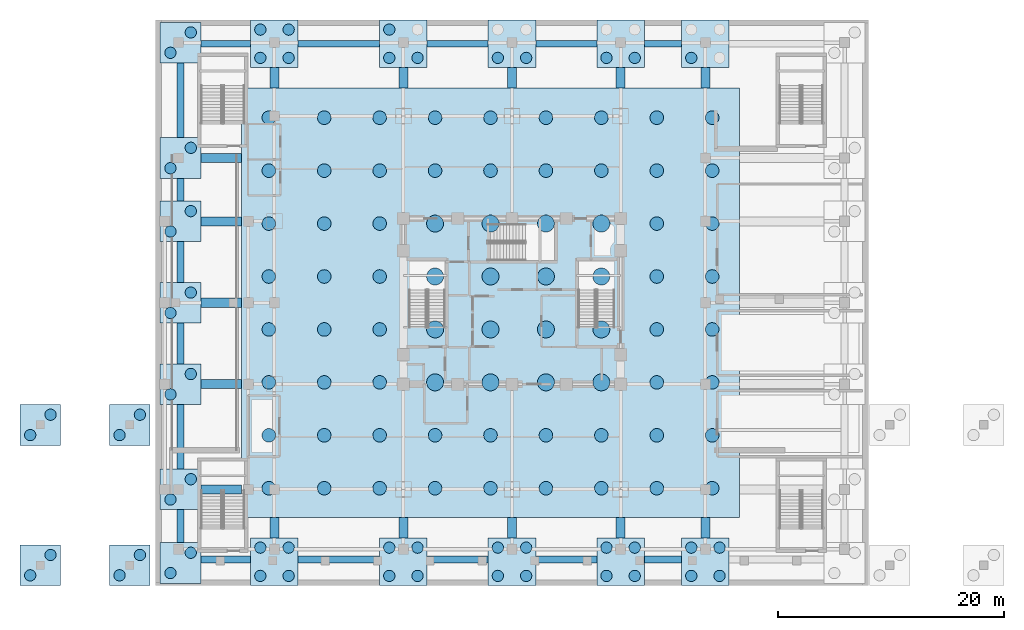
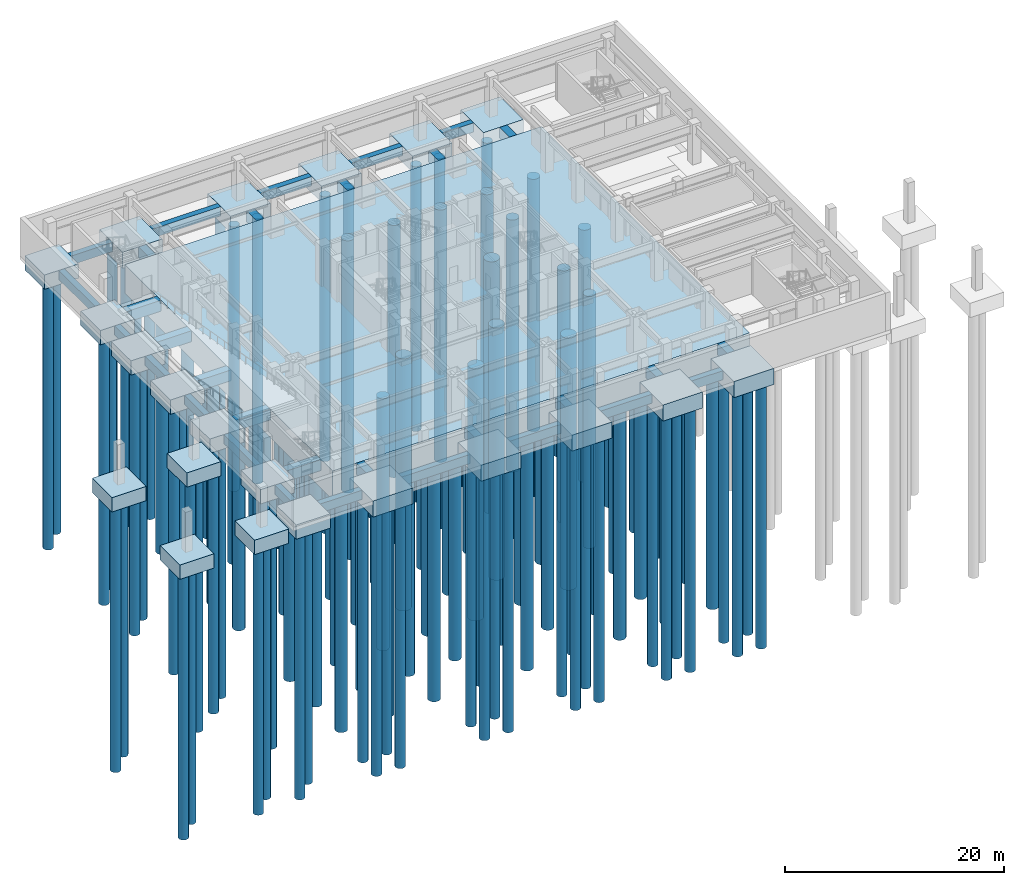
# One storey, part 1 of 12: 126 piles, 53 footings.
"""IFC4 building model written with IfcOpenShell, lengths in metres."""

from ifc_helpers import new_model, si_unit, direction, frame, origin, origin_2d, place, context, subcontext, project, spatial, rectangle, circle, extrude, material, layer, layer_set, material_profile, profile_set, type_object, element, save


model = new_model("IFC4")

# Units and contexts
model_context = context("Model", 3, precision=1e-05, world=origin(), true_north=direction((0.0, 1.0)))
body_context = subcontext(model_context, "Body", "Model", "MODEL_VIEW")
ifc_project = project(units=[si_unit("LENGTHUNIT", "METRE"), si_unit("AREAUNIT", "SQUARE_METRE"), si_unit("VOLUMEUNIT", "CUBIC_METRE"), si_unit("PLANEANGLEUNIT", "RADIAN"), si_unit("MASSUNIT", "GRAM", prefix="KILO")], contexts=[model_context])

# Site, building, storey
site_placement = place(None, origin())
site = spatial("IfcSite", under=ifc_project, at=site_placement, CompositionType="ELEMENT")
building_placement = place(site_placement, origin())
building = spatial("IfcBuilding", under=site, at=building_placement, Name="Vantalir Tower", CompositionType="ELEMENT")
storey_placement = place(building_placement, frame((0.0, 0.0, -9.0)))
storey = spatial("IfcBuildingStorey", under=building, at=storey_placement, Name="B02", CompositionType="ELEMENT", Elevation=-9.0)

# Footings
ifc_material_1 = material(Name="Concrete C50/60", Category="concrete")
ifc_material_profile_1 = material_profile(ifc_material_1, rectangle(XDim=0.60009765625, YDim=1.0, at=origin_2d()), Name="Concrete C50/60")
ifc_profile_set_1 = profile_set([ifc_material_profile_1], Name="Concrete C50/60")
footing_type_1 = type_object("IfcFootingType", Name="FTG-GB-600x1000", PredefinedType="FOOTING_BEAM", material=ifc_profile_set_1)
footing_1_placement = place(storey_placement, frame((2.199951171875, 3.800048828125, -0.5), z_axis=(0.0, 1.0, 0.0), x_axis=(-1.0, 0.0, 0.0)))
element("IfcFooting", 1, at=footing_1_placement, inside=storey, type_object=footing_type_1, Name="Ground Tie Beam 021 (West Perimeter Tie)", PredefinedType="FOOTING_BEAM", context=body_context, shape_type="SweptSolid", body=[
    extrude(rectangle(XDim=0.60009765625, YDim=1.0, at=origin_2d()), origin(), (0.0, 0.0, 1.0), 2.89990234375),
])
footing_2_placement = place(storey_placement, frame((2.199951171875, 10.300048828125, -0.5), z_axis=(0.0, 1.0, 0.0), x_axis=(-1.0, 0.0, 0.0)))
element("IfcFooting", 2, at=footing_2_placement, inside=storey, type_object=footing_type_1, Name="Ground Tie Beam 023 (West Perimeter Tie)", PredefinedType="FOOTING_BEAM", context=body_context, shape_type="SweptSolid", body=[
    extrude(rectangle(XDim=0.60009765625, YDim=1.0, at=origin_2d()), origin(), (0.0, 0.0, 1.0), 5.699951171875),
])
for number, where, z_axis, x_axis, name in (
    (3, (2.199951171875, 19.60009765625, -0.5), (0.0, 1.0, 0.0), (-1.0, 0.0, 0.0), "Ground Tie Beam 025 (West Perimeter Tie)"),
    (4, (2.199951171875, 26.800048828125, -0.5), (0.0, 1.0, 0.0), (-1.0, 0.0, 0.0), "Ground Tie Beam 027 (West Perimeter Tie)"),
):
    element("IfcFooting", number, at=place(storey_placement, frame(where, z_axis=z_axis, x_axis=x_axis)), inside=storey, type_object=footing_type_1, Name=name, PredefinedType="FOOTING_BEAM", context=body_context, shape_type="SweptSolid", body=[
        extrude(rectangle(XDim=0.60009765625, YDim=1.0, at=origin_2d()), origin(), (0.0, 0.0, 1.0), 3.599853515625),
    ])
footing_3_placement = place(storey_placement, frame((2.199951171875, 34.0, -0.5), z_axis=(0.0, 1.0, 0.0), x_axis=(-1.0, 0.0, 0.0)))
element("IfcFooting", 5, at=footing_3_placement, inside=storey, type_object=footing_type_1, Name="Ground Tie Beam 029 (West Perimeter Tie)", PredefinedType="FOOTING_BEAM", context=body_context, shape_type="SweptSolid", body=[
    extrude(rectangle(XDim=0.60009765625, YDim=1.0, at=origin_2d()), origin(), (0.0, 0.0, 1.0), 2.0),
])
footing_4_placement = place(storey_placement, frame((2.199951171875, 39.60009765625, -0.5), z_axis=(0.0, 1.0, 0.0), x_axis=(-1.0, 0.0, 0.0)))
element("IfcFooting", 6, at=footing_4_placement, inside=storey, type_object=footing_type_1, Name="Ground Tie Beam 031 (West Perimeter Tie)", PredefinedType="FOOTING_BEAM", context=body_context, shape_type="SweptSolid", body=[
    extrude(rectangle(XDim=0.60009765625, YDim=1.0, at=origin_2d()), origin(), (0.0, 0.0, 1.0), 6.599853515625),
])
for number, where, z_axis, x_axis, name in (
    (7, (4.0, 2.300048828125, -0.5), (1.0, 0.0, 0.0), (0.0, 1.0, 0.0), "Ground Tie Beam 033 (South Perimeter Tie)"),
    (8, (4.0, 47.89990234375, -0.5), (1.0, 0.0, 0.0), (0.0, 1.0, 0.0), "Ground Tie Beam 034 (North Perimeter Tie)"),
):
    element("IfcFooting", number, at=place(storey_placement, frame(where, z_axis=z_axis, x_axis=x_axis)), inside=storey, type_object=footing_type_1, Name=name, PredefinedType="FOOTING_BEAM", context=body_context, shape_type="SweptSolid", body=[
        extrude(rectangle(XDim=0.60009765625, YDim=1.0, at=origin_2d()), origin(), (0.0, 0.0, 1.0), 4.39990234375),
    ])
for number, where, z_axis, x_axis, name in (
    (9, (12.60009765625, 2.300048828125, -0.5), (1.0, 0.0, 0.0), (0.0, 1.0, 0.0), "Ground Tie Beam 035 (South Perimeter Tie)"),
    (10, (12.60009765625, 47.89990234375, -0.5), (1.0, 0.0, 0.0), (0.0, 1.0, 0.0), "Ground Tie Beam 036 (North Perimeter Tie)"),
):
    element("IfcFooting", number, at=place(storey_placement, frame(where, z_axis=z_axis, x_axis=x_axis)), inside=storey, type_object=footing_type_1, Name=name, PredefinedType="FOOTING_BEAM", context=body_context, shape_type="SweptSolid", body=[
        extrude(rectangle(XDim=0.60009765625, YDim=1.0, at=origin_2d()), origin(), (0.0, 0.0, 1.0), 7.199951171875),
    ])
for number, where, z_axis, x_axis, name in (
    (11, (24.0, 2.300048828125, -0.5), (1.0, 0.0, 0.0), (0.0, 1.0, 0.0), "Ground Tie Beam 037 (South Perimeter Tie)"),
    (12, (24.0, 47.89990234375, -0.5), (1.0, 0.0, 0.0), (0.0, 1.0, 0.0), "Ground Tie Beam 038 (North Perimeter Tie)"),
    (13, (33.60009765625, 2.300048828125, -0.5), (1.0, 0.0, 0.0), (0.0, 1.0, 0.0), "Ground Tie Beam 039 (South Perimeter Tie)"),
    (14, (33.60009765625, 47.89990234375, -0.5), (1.0, 0.0, 0.0), (0.0, 1.0, 0.0), "Ground Tie Beam 040 (North Perimeter Tie)"),
):
    element("IfcFooting", number, at=place(storey_placement, frame(where, z_axis=z_axis, x_axis=x_axis)), inside=storey, type_object=footing_type_1, Name=name, PredefinedType="FOOTING_BEAM", context=body_context, shape_type="SweptSolid", body=[
        extrude(rectangle(XDim=0.60009765625, YDim=1.0, at=origin_2d()), origin(), (0.0, 0.0, 1.0), 5.39990234375),
    ])
for number, where, z_axis, x_axis, name in (
    (15, (43.199951171875, 2.300048828125, -0.5), (1.0, 0.0, 0.0), (0.0, 1.0, 0.0), "Ground Tie Beam 041 (South Perimeter Tie)"),
    (16, (43.199951171875, 47.89990234375, -0.5), (1.0, 0.0, 0.0), (0.0, 1.0, 0.0), "Ground Tie Beam 042 (North Perimeter Tie)"),
):
    element("IfcFooting", number, at=place(storey_placement, frame(where, z_axis=z_axis, x_axis=x_axis)), inside=storey, type_object=footing_type_1, Name=name, PredefinedType="FOOTING_BEAM", context=body_context, shape_type="SweptSolid", body=[
        extrude(rectangle(XDim=0.60009765625, YDim=1.0, at=origin_2d()), origin(), (0.0, 0.0, 1.0), 3.300048828125),
    ])
ifc_material_profile_2 = material_profile(ifc_material_1, rectangle(XDim=0.800048828125, YDim=1.199951171875, at=origin_2d()), Name="Concrete C50/60")
ifc_profile_set_2 = profile_set([ifc_material_profile_2], Name="Concrete C50/60")
footing_type_2 = type_object("IfcFootingType", Name="FTG-GB-800x1200", PredefinedType="FOOTING_BEAM", material=ifc_profile_set_2)
for number, where, z_axis, x_axis, name in (
    (17, (4.0, 8.5, -0.60009765625), (1.0, 0.0, 0.0), (0.0, 1.0, 0.0), "Ground Tie Beam 001 (West Cap to Raft)"),
    (18, (4.0, 17.800048828125, -0.60009765625), (1.0, 0.0, 0.0), (0.0, 1.0, 0.0), "Ground Tie Beam 002 (West Cap to Raft)"),
    (19, (4.0, 25.0, -0.60009765625), (1.0, 0.0, 0.0), (0.0, 1.0, 0.0), "Ground Tie Beam 003 (West Cap to Raft)"),
    (20, (4.0, 32.199951171875, -0.60009765625), (1.0, 0.0, 0.0), (0.0, 1.0, 0.0), "Ground Tie Beam 004 (West Cap to Raft)"),
    (21, (4.0, 37.800048828125, -0.60009765625), (1.0, 0.0, 0.0), (0.0, 1.0, 0.0), "Ground Tie Beam 005 (West Cap to Raft)"),
):
    element("IfcFooting", number, at=place(storey_placement, frame(where, z_axis=z_axis, x_axis=x_axis)), inside=storey, type_object=footing_type_2, Name=name, PredefinedType="FOOTING_BEAM", context=body_context, shape_type="SweptSolid", body=[
        extrude(rectangle(XDim=0.800048828125, YDim=1.199951171875, at=origin_2d()), origin(), (0.0, 0.0, 1.0), 3.60009765625),
    ])
for number, where, z_axis, x_axis, name in (
    (22, (10.5, 4.199951171875, -0.60009765625), (0.0, 1.0, 0.0), (-1.0, 0.0, 0.0), "Ground Tie Beam 011 (South Cap to Raft)"),
    (23, (21.89990234375, 4.199951171875, -0.60009765625), (0.0, 1.0, 0.0), (-1.0, 0.0, 0.0), "Ground Tie Beam 012 (South Cap to Raft)"),
    (24, (31.5, 4.199951171875, -0.60009765625), (0.0, 1.0, 0.0), (-1.0, 0.0, 0.0), "Ground Tie Beam 013 (South Cap to Raft)"),
    (25, (41.10009765625, 4.199951171875, -0.60009765625), (0.0, 1.0, 0.0), (-1.0, 0.0, 0.0), "Ground Tie Beam 014 (South Cap to Raft)"),
    (26, (48.60009765625, 4.199951171875, -0.60009765625), (0.0, 1.0, 0.0), (-1.0, 0.0, 0.0), "Ground Tie Beam 015 (South Cap to Raft)"),
    (27, (10.5, 44.0, -0.60009765625), (0.0, 1.0, 0.0), (-1.0, 0.0, 0.0), "Ground Tie Beam 016 (Raft to North Cap)"),
    (28, (21.89990234375, 44.0, -0.60009765625), (0.0, 1.0, 0.0), (-1.0, 0.0, 0.0), "Ground Tie Beam 017 (Raft to North Cap)"),
    (29, (31.5, 44.0, -0.60009765625), (0.0, 1.0, 0.0), (-1.0, 0.0, 0.0), "Ground Tie Beam 018 (Raft to North Cap)"),
    (30, (41.10009765625, 44.0, -0.60009765625), (0.0, 1.0, 0.0), (-1.0, 0.0, 0.0), "Ground Tie Beam 019 (Raft to North Cap)"),
    (31, (48.60009765625, 44.0, -0.60009765625), (0.0, 1.0, 0.0), (-1.0, 0.0, 0.0), "Ground Tie Beam 020 (Raft to North Cap)"),
):
    element("IfcFooting", number, at=place(storey_placement, frame(where, z_axis=z_axis, x_axis=x_axis)), inside=storey, type_object=footing_type_2, Name=name, PredefinedType="FOOTING_BEAM", context=body_context, shape_type="SweptSolid", body=[
        extrude(rectangle(XDim=0.800048828125, YDim=1.199951171875, at=origin_2d()), origin(), (0.0, 0.0, 1.0), 1.800048828125),
    ])
ifc_layer_1 = layer(ifc_material_1, 1.60009765625)
ifc_layer_set_1 = layer_set([ifc_layer_1], Name="Concrete C50/60")
footing_type_3 = type_object("IfcFootingType", Name="FTG-PCAP-3600", PredefinedType="PILE_CAP", material=ifc_layer_set_1)
for number, where, z_axis, x_axis, name in (
    (32, (2.199951171875, 2.0, -1.60009765625), (0.0, 0.0, 1.0), (1.0, 0.0, 0.0), "Podium Pile Cap FTG-PCW-01"),
    (33, (2.199951171875, 8.5, -1.60009765625), (0.0, 0.0, 1.0), (1.0, 0.0, 0.0), "Podium Pile Cap FTG-PCW-02"),
    (34, (2.199951171875, 17.800048828125, -1.60009765625), (0.0, 0.0, 1.0), (1.0, 0.0, 0.0), "Podium Pile Cap FTG-PCW-03"),
    (35, (2.199951171875, 25.0, -1.60009765625), (0.0, 0.0, 1.0), (1.0, 0.0, 0.0), "Podium Pile Cap FTG-PCW-04"),
    (36, (2.199951171875, 32.199951171875, -1.60009765625), (0.0, 0.0, 1.0), (1.0, 0.0, 0.0), "Podium Pile Cap FTG-PCW-05"),
    (37, (2.199951171875, 37.800048828125, -1.60009765625), (0.0, 0.0, 1.0), (1.0, 0.0, 0.0), "Podium Pile Cap FTG-PCW-06"),
    (38, (2.199951171875, 48.0, -1.60009765625), (0.0, 0.0, 1.0), (1.0, 0.0, 0.0), "Podium Pile Cap FTG-PCW-07"),
    (39, (-10.199951171875, 1.800048828125, -1.60009765625), (0.0, 0.0, 1.0), (1.0, 0.0, 0.0), "Marine Boardwalk Pile Cap WEST 1"),
    (40, (-2.300048828125, 1.800048828125, -1.60009765625), (0.0, 0.0, 1.0), (1.0, 0.0, 0.0), "Marine Boardwalk Pile Cap WEST 2"),
    (41, (-2.300048828125, 14.199951171875, -1.60009765625), (0.0, 0.0, 1.0), (1.0, 0.0, 0.0), "Marine Boardwalk Pile Cap WEST 3"),
    (42, (-10.199951171875, 14.199951171875, -1.60009765625), (0.0, 0.0, 1.0), (1.0, 0.0, 0.0), "Marine Boardwalk Pile Cap WEST 4"),
):
    element("IfcFooting", number, at=place(storey_placement, frame(where, z_axis=z_axis, x_axis=x_axis)), inside=storey, type_object=footing_type_3, Name=name, PredefinedType="PILE_CAP", context=body_context, shape_type="SweptSolid", body=[
        extrude(rectangle(XDim=3.60009765625, YDim=3.60009765625, at=origin_2d()), origin(), (0.0, 0.0, 1.0), 1.60009765625),
    ])
ifc_layer_2 = layer(ifc_material_1, 1.800048828125)
ifc_layer_set_2 = layer_set([ifc_layer_2], Name="Concrete C50/60")
footing_type_4 = type_object("IfcFootingType", Name="FTG-PCAP-4200", PredefinedType="PILE_CAP", material=ifc_layer_set_2)
for number, where, z_axis, x_axis, name in (
    (43, (10.5, 2.10009765625, -1.7998046875), (0.0, 0.0, 1.0), (1.0, 0.0, 0.0), "Podium Pile Cap FTG-PCS-01"),
    (44, (21.89990234375, 2.10009765625, -1.7998046875), (0.0, 0.0, 1.0), (1.0, 0.0, 0.0), "Podium Pile Cap FTG-PCS-02"),
    (45, (31.5, 2.10009765625, -1.7998046875), (0.0, 0.0, 1.0), (1.0, 0.0, 0.0), "Podium Pile Cap FTG-PCS-03"),
    (46, (41.10009765625, 2.10009765625, -1.7998046875), (0.0, 0.0, 1.0), (1.0, 0.0, 0.0), "Podium Pile Cap FTG-PCS-04"),
    (47, (48.60009765625, 2.10009765625, -1.7998046875), (0.0, 0.0, 1.0), (1.0, 0.0, 0.0), "Podium Pile Cap FTG-PCS-05"),
    (48, (10.5, 47.89990234375, -1.7998046875), (0.0, 0.0, 1.0), (1.0, 0.0, 0.0), "Podium Pile Cap FTG-PCN-01"),
    (49, (21.89990234375, 47.89990234375, -1.7998046875), (0.0, 0.0, 1.0), (1.0, 0.0, 0.0), "Podium Pile Cap FTG-PCN-02"),
    (50, (31.5, 47.89990234375, -1.7998046875), (0.0, 0.0, 1.0), (1.0, 0.0, 0.0), "Podium Pile Cap FTG-PCN-03"),
    (51, (41.10009765625, 47.89990234375, -1.7998046875), (0.0, 0.0, 1.0), (1.0, 0.0, 0.0), "Podium Pile Cap FTG-PCN-04"),
    (52, (48.60009765625, 47.89990234375, -1.7998046875), (0.0, 0.0, 1.0), (1.0, 0.0, 0.0), "Podium Pile Cap FTG-PCN-05"),
):
    element("IfcFooting", number, at=place(storey_placement, frame(where, z_axis=z_axis, x_axis=x_axis)), inside=storey, type_object=footing_type_4, Name=name, PredefinedType="PILE_CAP", context=body_context, shape_type="SweptSolid", body=[
        extrude(rectangle(XDim=4.199951171875, YDim=4.199951171875, at=origin_2d()), origin(), (0.0, 0.0, 1.0), 1.800048828125),
    ])
ifc_material_2 = material(Name="Concrete C60/75", Category="concrete")
ifc_layer_3 = layer(ifc_material_2, 3.199951171875)
ifc_layer_set_3 = layer_set([ifc_layer_3], Name="Concrete C60/75")
footing_type_5 = type_object("IfcFootingType", Name="FTG-RAFT-3200", PredefinedType="CAISSON_FOUNDATION", material=ifc_layer_set_3)
footing_5_placement = place(storey_placement, frame((29.60009765625, 25.0, -3.2001953125), z_axis=(0.0, 0.0, 1.0), x_axis=(1.0, 0.0, 0.0)))
element("IfcFooting", 53, at=footing_5_placement, inside=storey, type_object=footing_type_5, Name="Tower Piled Raft Foundation RF-1", PredefinedType="CAISSON_FOUNDATION", context=body_context, shape_type="SweptSolid", body=[
    extrude(rectangle(XDim=44.0, YDim=38.0, at=origin_2d()), origin(), (0.0, 0.0, 1.0), 3.199951171875),
])

# Piles
ifc_material_profile_3 = material_profile(ifc_material_1, circle(Radius=0.5, at=origin_2d()), Name="Concrete C50/60")
ifc_profile_set_3 = profile_set([ifc_material_profile_3], Name="Concrete C50/60")
pile_type_1 = type_object("IfcPileType", Name="PIL-B1000", PredefinedType="BORED", material=ifc_profile_set_3)
for number, where, z_axis, x_axis, name in (
    (54, (1.300048828125, 1.10009765625, -1.449951171875), (0.0, 0.0, -1.0), (1.0, 0.0, 0.0), "Cap Bored Pile FTG-PCW-01 #1"),
    (55, (3.10009765625, 2.89990234375, -1.449951171875), (0.0, 0.0, -1.0), (1.0, 0.0, 0.0), "Cap Bored Pile FTG-PCW-01 #2"),
    (56, (1.300048828125, 7.60009765625, -1.449951171875), (0.0, 0.0, -1.0), (1.0, 0.0, 0.0), "Cap Bored Pile FTG-PCW-02 #1"),
    (57, (3.10009765625, 9.39990234375, -1.449951171875), (0.0, 0.0, -1.0), (1.0, 0.0, 0.0), "Cap Bored Pile FTG-PCW-02 #2"),
    (58, (1.300048828125, 16.89990234375, -1.449951171875), (0.0, 0.0, -1.0), (1.0, 0.0, 0.0), "Cap Bored Pile FTG-PCW-03 #1"),
    (59, (3.10009765625, 18.699951171875, -1.449951171875), (0.0, 0.0, -1.0), (1.0, 0.0, 0.0), "Cap Bored Pile FTG-PCW-03 #2"),
    (60, (1.300048828125, 24.10009765625, -1.449951171875), (0.0, 0.0, -1.0), (1.0, 0.0, 0.0), "Cap Bored Pile FTG-PCW-04 #1"),
    (61, (3.10009765625, 25.89990234375, -1.449951171875), (0.0, 0.0, -1.0), (1.0, 0.0, 0.0), "Cap Bored Pile FTG-PCW-04 #2"),
    (62, (1.300048828125, 31.300048828125, -1.449951171875), (0.0, 0.0, -1.0), (1.0, 0.0, 0.0), "Cap Bored Pile FTG-PCW-05 #1"),
    (63, (3.10009765625, 33.10009765625, -1.449951171875), (0.0, 0.0, -1.0), (1.0, 0.0, 0.0), "Cap Bored Pile FTG-PCW-05 #2"),
    (64, (1.300048828125, 36.89990234375, -1.449951171875), (0.0, 0.0, -1.0), (1.0, 0.0, 0.0), "Cap Bored Pile FTG-PCW-06 #1"),
    (65, (3.10009765625, 38.699951171875, -1.449951171875), (0.0, 0.0, -1.0), (1.0, 0.0, 0.0), "Cap Bored Pile FTG-PCW-06 #2"),
    (66, (1.300048828125, 47.10009765625, -1.449951171875), (0.0, 0.0, -1.0), (1.0, 0.0, 0.0), "Cap Bored Pile FTG-PCW-07 #1"),
    (67, (3.10009765625, 48.89990234375, -1.449951171875), (0.0, 0.0, -1.0), (1.0, 0.0, 0.0), "Cap Bored Pile FTG-PCW-07 #2"),
):
    element("IfcPile", number, at=place(storey_placement, frame(where, z_axis=z_axis, x_axis=x_axis)), inside=storey, type_object=pile_type_1, Name=name, PredefinedType="BORED", context=body_context, shape_type="SweptSolid", body=[
        extrude(circle(Radius=0.5, at=origin_2d()), origin(), (0.0, 0.0, 1.0), 29.75),
    ])
for number, where, z_axis, x_axis, name in (
    (68, (9.25, 0.85009765625, -1.64990234375), (0.0, 0.0, -1.0), (1.0, 0.0, 0.0), "Cap Bored Pile FTG-PCS-01 #1"),
    (69, (11.75, 0.85009765625, -1.64990234375), (0.0, 0.0, -1.0), (1.0, 0.0, 0.0), "Cap Bored Pile FTG-PCS-01 #2"),
    (70, (9.25, 3.35009765625, -1.64990234375), (0.0, 0.0, -1.0), (1.0, 0.0, 0.0), "Cap Bored Pile FTG-PCS-01 #3"),
    (71, (11.75, 3.35009765625, -1.64990234375), (0.0, 0.0, -1.0), (1.0, 0.0, 0.0), "Cap Bored Pile FTG-PCS-01 #4"),
    (72, (20.64990234375, 0.85009765625, -1.64990234375), (0.0, 0.0, -1.0), (1.0, 0.0, 0.0), "Cap Bored Pile FTG-PCS-02 #1"),
    (73, (23.14990234375, 0.85009765625, -1.64990234375), (0.0, 0.0, -1.0), (1.0, 0.0, 0.0), "Cap Bored Pile FTG-PCS-02 #2"),
    (74, (20.64990234375, 3.35009765625, -1.64990234375), (0.0, 0.0, -1.0), (1.0, 0.0, 0.0), "Cap Bored Pile FTG-PCS-02 #3"),
    (75, (23.14990234375, 3.35009765625, -1.64990234375), (0.0, 0.0, -1.0), (1.0, 0.0, 0.0), "Cap Bored Pile FTG-PCS-02 #4"),
    (76, (30.25, 0.85009765625, -1.64990234375), (0.0, 0.0, -1.0), (1.0, 0.0, 0.0), "Cap Bored Pile FTG-PCS-03 #1"),
    (77, (32.75, 0.85009765625, -1.64990234375), (0.0, 0.0, -1.0), (1.0, 0.0, 0.0), "Cap Bored Pile FTG-PCS-03 #2"),
    (78, (30.25, 3.35009765625, -1.64990234375), (0.0, 0.0, -1.0), (1.0, 0.0, 0.0), "Cap Bored Pile FTG-PCS-03 #3"),
    (79, (32.75, 3.35009765625, -1.64990234375), (0.0, 0.0, -1.0), (1.0, 0.0, 0.0), "Cap Bored Pile FTG-PCS-03 #4"),
    (80, (39.85009765625, 0.85009765625, -1.64990234375), (0.0, 0.0, -1.0), (1.0, 0.0, 0.0), "Cap Bored Pile FTG-PCS-04 #1"),
    (81, (42.35009765625, 0.85009765625, -1.64990234375), (0.0, 0.0, -1.0), (1.0, 0.0, 0.0), "Cap Bored Pile FTG-PCS-04 #2"),
    (82, (39.85009765625, 3.35009765625, -1.64990234375), (0.0, 0.0, -1.0), (1.0, 0.0, 0.0), "Cap Bored Pile FTG-PCS-04 #3"),
    (83, (42.35009765625, 3.35009765625, -1.64990234375), (0.0, 0.0, -1.0), (1.0, 0.0, 0.0), "Cap Bored Pile FTG-PCS-04 #4"),
    (84, (47.35009765625, 0.85009765625, -1.64990234375), (0.0, 0.0, -1.0), (1.0, 0.0, 0.0), "Cap Bored Pile FTG-PCS-05 #1"),
    (85, (49.85009765625, 0.85009765625, -1.64990234375), (0.0, 0.0, -1.0), (1.0, 0.0, 0.0), "Cap Bored Pile FTG-PCS-05 #2"),
    (86, (47.35009765625, 3.35009765625, -1.64990234375), (0.0, 0.0, -1.0), (1.0, 0.0, 0.0), "Cap Bored Pile FTG-PCS-05 #3"),
    (87, (49.85009765625, 3.35009765625, -1.64990234375), (0.0, 0.0, -1.0), (1.0, 0.0, 0.0), "Cap Bored Pile FTG-PCS-05 #4"),
    (88, (9.25, 46.64990234375, -1.64990234375), (0.0, 0.0, -1.0), (1.0, 0.0, 0.0), "Cap Bored Pile FTG-PCN-01 #1"),
    (89, (11.75, 46.64990234375, -1.64990234375), (0.0, 0.0, -1.0), (1.0, 0.0, 0.0), "Cap Bored Pile FTG-PCN-01 #2"),
    (90, (9.25, 49.14990234375, -1.64990234375), (0.0, 0.0, -1.0), (1.0, 0.0, 0.0), "Cap Bored Pile FTG-PCN-01 #3"),
    (91, (11.75, 49.14990234375, -1.64990234375), (0.0, 0.0, -1.0), (1.0, 0.0, 0.0), "Cap Bored Pile FTG-PCN-01 #4"),
    (92, (20.64990234375, 46.64990234375, -1.64990234375), (0.0, 0.0, -1.0), (1.0, 0.0, 0.0), "Cap Bored Pile FTG-PCN-02 #1"),
    (93, (23.14990234375, 46.64990234375, -1.64990234375), (0.0, 0.0, -1.0), (1.0, 0.0, 0.0), "Cap Bored Pile FTG-PCN-02 #2"),
    (94, (20.64990234375, 49.14990234375, -1.64990234375), (0.0, 0.0, -1.0), (1.0, 0.0, 0.0), "Cap Bored Pile FTG-PCN-02 #3"),
    (95, (30.25, 46.64990234375, -1.64990234375), (0.0, 0.0, -1.0), (1.0, 0.0, 0.0), "Cap Bored Pile FTG-PCN-03 #1"),
    (96, (32.75, 46.64990234375, -1.64990234375), (0.0, 0.0, -1.0), (1.0, 0.0, 0.0), "Cap Bored Pile FTG-PCN-03 #2"),
    (97, (39.85009765625, 46.64990234375, -1.64990234375), (0.0, 0.0, -1.0), (1.0, 0.0, 0.0), "Cap Bored Pile FTG-PCN-04 #1"),
    (98, (42.35009765625, 46.64990234375, -1.64990234375), (0.0, 0.0, -1.0), (1.0, 0.0, 0.0), "Cap Bored Pile FTG-PCN-04 #2"),
    (99, (47.35009765625, 46.64990234375, -1.64990234375), (0.0, 0.0, -1.0), (1.0, 0.0, 0.0), "Cap Bored Pile FTG-PCN-05 #1"),
):
    element("IfcPile", number, at=place(storey_placement, frame(where, z_axis=z_axis, x_axis=x_axis)), inside=storey, type_object=pile_type_1, Name=name, PredefinedType="BORED", context=body_context, shape_type="SweptSolid", body=[
        extrude(circle(Radius=0.5, at=origin_2d()), origin(), (0.0, 0.0, 1.0), 29.550048828125),
    ])
for number, where, z_axis, x_axis, name in (
    (100, (-11.10009765625, 0.89990234375, -1.449951171875), (0.0, 0.0, -1.0), (1.0, 0.0, 0.0), "Marine Boardwalk Bored Pile WEST 1-1"),
    (101, (-9.300048828125, 2.699951171875, -1.449951171875), (0.0, 0.0, -1.0), (1.0, 0.0, 0.0), "Marine Boardwalk Bored Pile WEST 1-2"),
    (102, (-3.199951171875, 0.89990234375, -1.449951171875), (0.0, 0.0, -1.0), (1.0, 0.0, 0.0), "Marine Boardwalk Bored Pile WEST 2-1"),
    (103, (-1.39990234375, 2.699951171875, -1.449951171875), (0.0, 0.0, -1.0), (1.0, 0.0, 0.0), "Marine Boardwalk Bored Pile WEST 2-2"),
    (104, (-3.199951171875, 13.300048828125, -1.449951171875), (0.0, 0.0, -1.0), (1.0, 0.0, 0.0), "Marine Boardwalk Bored Pile WEST 3-1"),
    (105, (-1.39990234375, 15.10009765625, -1.449951171875), (0.0, 0.0, -1.0), (1.0, 0.0, 0.0), "Marine Boardwalk Bored Pile WEST 3-2"),
    (106, (-11.10009765625, 13.300048828125, -1.449951171875), (0.0, 0.0, -1.0), (1.0, 0.0, 0.0), "Marine Boardwalk Bored Pile WEST 4-1"),
    (107, (-9.300048828125, 15.10009765625, -1.449951171875), (0.0, 0.0, -1.0), (1.0, 0.0, 0.0), "Marine Boardwalk Bored Pile WEST 4-2"),
):
    element("IfcPile", number, at=place(storey_placement, frame(where, z_axis=z_axis, x_axis=x_axis)), inside=storey, type_object=pile_type_1, Name=name, PredefinedType="BORED", context=body_context, shape_type="SweptSolid", body=[
        extrude(circle(Radius=0.5, at=origin_2d()), origin(), (0.0, 0.0, 1.0), 29.75),
    ])
ifc_material_profile_4 = material_profile(ifc_material_1, circle(Radius=0.60009765625, at=origin_2d()), Name="Concrete C50/60")
ifc_profile_set_4 = profile_set([ifc_material_profile_4], Name="Concrete C50/60")
pile_type_2 = type_object("IfcPileType", Name="PIL-B1200", PredefinedType="BORED", material=ifc_profile_set_4)
for number, where, z_axis, x_axis, name in (
    (108, (10.0, 8.60009765625, -3.050048828125), (0.0, 0.0, -1.0), (1.0, 0.0, 0.0), "Raft Rock-Socketed Bored Pile 001"),
    (109, (10.0, 13.280029296875, -3.050048828125), (0.0, 0.0, -1.0), (1.0, 0.0, 0.0), "Raft Rock-Socketed Bored Pile 002"),
    (110, (10.0, 17.9599609375, -3.050048828125), (0.0, 0.0, -1.0), (1.0, 0.0, 0.0), "Raft Rock-Socketed Bored Pile 003"),
    (111, (10.0, 22.639892578125, -3.050048828125), (0.0, 0.0, -1.0), (1.0, 0.0, 0.0), "Raft Rock-Socketed Bored Pile 004"),
    (112, (10.0, 27.320068359375, -3.050048828125), (0.0, 0.0, -1.0), (1.0, 0.0, 0.0), "Raft Rock-Socketed Bored Pile 005"),
    (113, (10.0, 32.0, -3.050048828125), (0.0, 0.0, -1.0), (1.0, 0.0, 0.0), "Raft Rock-Socketed Bored Pile 006"),
    (114, (10.0, 36.679931640625, -3.050048828125), (0.0, 0.0, -1.0), (1.0, 0.0, 0.0), "Raft Rock-Socketed Bored Pile 007"),
    (115, (10.0, 41.360107421875, -3.050048828125), (0.0, 0.0, -1.0), (1.0, 0.0, 0.0), "Raft Rock-Socketed Bored Pile 008"),
    (116, (14.89990234375, 8.60009765625, -3.050048828125), (0.0, 0.0, -1.0), (1.0, 0.0, 0.0), "Raft Rock-Socketed Bored Pile 009"),
    (117, (14.89990234375, 13.280029296875, -3.050048828125), (0.0, 0.0, -1.0), (1.0, 0.0, 0.0), "Raft Rock-Socketed Bored Pile 010"),
    (118, (14.89990234375, 17.9599609375, -3.050048828125), (0.0, 0.0, -1.0), (1.0, 0.0, 0.0), "Raft Rock-Socketed Bored Pile 011"),
    (119, (14.89990234375, 22.639892578125, -3.050048828125), (0.0, 0.0, -1.0), (1.0, 0.0, 0.0), "Raft Rock-Socketed Bored Pile 012"),
    (120, (14.89990234375, 27.320068359375, -3.050048828125), (0.0, 0.0, -1.0), (1.0, 0.0, 0.0), "Raft Rock-Socketed Bored Pile 013"),
    (121, (14.89990234375, 32.0, -3.050048828125), (0.0, 0.0, -1.0), (1.0, 0.0, 0.0), "Raft Rock-Socketed Bored Pile 014"),
    (122, (14.89990234375, 36.679931640625, -3.050048828125), (0.0, 0.0, -1.0), (1.0, 0.0, 0.0), "Raft Rock-Socketed Bored Pile 015"),
    (123, (14.89990234375, 41.360107421875, -3.050048828125), (0.0, 0.0, -1.0), (1.0, 0.0, 0.0), "Raft Rock-Socketed Bored Pile 016"),
    (124, (19.800048828125, 8.60009765625, -3.050048828125), (0.0, 0.0, -1.0), (1.0, 0.0, 0.0), "Raft Rock-Socketed Bored Pile 017"),
    (125, (19.800048828125, 13.280029296875, -3.050048828125), (0.0, 0.0, -1.0), (1.0, 0.0, 0.0), "Raft Rock-Socketed Bored Pile 018"),
    (126, (19.800048828125, 17.9599609375, -3.050048828125), (0.0, 0.0, -1.0), (1.0, 0.0, 0.0), "Raft Rock-Socketed Bored Pile 019"),
    (127, (19.800048828125, 22.639892578125, -3.050048828125), (0.0, 0.0, -1.0), (1.0, 0.0, 0.0), "Raft Rock-Socketed Bored Pile 020"),
    (128, (19.800048828125, 27.320068359375, -3.050048828125), (0.0, 0.0, -1.0), (1.0, 0.0, 0.0), "Raft Rock-Socketed Bored Pile 021"),
    (129, (19.800048828125, 32.0, -3.050048828125), (0.0, 0.0, -1.0), (1.0, 0.0, 0.0), "Raft Rock-Socketed Bored Pile 022"),
    (130, (19.800048828125, 36.679931640625, -3.050048828125), (0.0, 0.0, -1.0), (1.0, 0.0, 0.0), "Raft Rock-Socketed Bored Pile 023"),
    (131, (19.800048828125, 41.360107421875, -3.050048828125), (0.0, 0.0, -1.0), (1.0, 0.0, 0.0), "Raft Rock-Socketed Bored Pile 024"),
    (132, (24.699951171875, 8.60009765625, -3.050048828125), (0.0, 0.0, -1.0), (1.0, 0.0, 0.0), "Raft Rock-Socketed Bored Pile 025"),
    (133, (24.699951171875, 13.280029296875, -3.050048828125), (0.0, 0.0, -1.0), (1.0, 0.0, 0.0), "Raft Rock-Socketed Bored Pile 026"),
    (134, (24.699951171875, 36.679931640625, -3.050048828125), (0.0, 0.0, -1.0), (1.0, 0.0, 0.0), "Raft Rock-Socketed Bored Pile 031"),
    (135, (24.699951171875, 41.360107421875, -3.050048828125), (0.0, 0.0, -1.0), (1.0, 0.0, 0.0), "Raft Rock-Socketed Bored Pile 032"),
    (136, (29.60009765625, 8.60009765625, -3.050048828125), (0.0, 0.0, -1.0), (1.0, 0.0, 0.0), "Raft Rock-Socketed Bored Pile 033"),
    (137, (29.60009765625, 13.280029296875, -3.050048828125), (0.0, 0.0, -1.0), (1.0, 0.0, 0.0), "Raft Rock-Socketed Bored Pile 034"),
    (138, (29.60009765625, 36.679931640625, -3.050048828125), (0.0, 0.0, -1.0), (1.0, 0.0, 0.0), "Raft Rock-Socketed Bored Pile 039"),
    (139, (29.60009765625, 41.360107421875, -3.050048828125), (0.0, 0.0, -1.0), (1.0, 0.0, 0.0), "Raft Rock-Socketed Bored Pile 040"),
    (140, (34.5, 8.60009765625, -3.050048828125), (0.0, 0.0, -1.0), (1.0, 0.0, 0.0), "Raft Rock-Socketed Bored Pile 041"),
    (141, (34.5, 13.280029296875, -3.050048828125), (0.0, 0.0, -1.0), (1.0, 0.0, 0.0), "Raft Rock-Socketed Bored Pile 042"),
    (142, (34.5, 36.679931640625, -3.050048828125), (0.0, 0.0, -1.0), (1.0, 0.0, 0.0), "Raft Rock-Socketed Bored Pile 047"),
    (143, (34.5, 41.360107421875, -3.050048828125), (0.0, 0.0, -1.0), (1.0, 0.0, 0.0), "Raft Rock-Socketed Bored Pile 048"),
    (144, (39.39990234375, 8.60009765625, -3.050048828125), (0.0, 0.0, -1.0), (1.0, 0.0, 0.0), "Raft Rock-Socketed Bored Pile 049"),
    (145, (39.39990234375, 13.280029296875, -3.050048828125), (0.0, 0.0, -1.0), (1.0, 0.0, 0.0), "Raft Rock-Socketed Bored Pile 050"),
    (146, (39.39990234375, 36.679931640625, -3.050048828125), (0.0, 0.0, -1.0), (1.0, 0.0, 0.0), "Raft Rock-Socketed Bored Pile 055"),
    (147, (39.39990234375, 41.360107421875, -3.050048828125), (0.0, 0.0, -1.0), (1.0, 0.0, 0.0), "Raft Rock-Socketed Bored Pile 056"),
    (148, (44.300048828125, 8.60009765625, -3.050048828125), (0.0, 0.0, -1.0), (1.0, 0.0, 0.0), "Raft Rock-Socketed Bored Pile 057"),
    (149, (44.300048828125, 13.280029296875, -3.050048828125), (0.0, 0.0, -1.0), (1.0, 0.0, 0.0), "Raft Rock-Socketed Bored Pile 058"),
    (150, (44.300048828125, 17.9599609375, -3.050048828125), (0.0, 0.0, -1.0), (1.0, 0.0, 0.0), "Raft Rock-Socketed Bored Pile 059"),
    (151, (44.300048828125, 22.639892578125, -3.050048828125), (0.0, 0.0, -1.0), (1.0, 0.0, 0.0), "Raft Rock-Socketed Bored Pile 060"),
    (152, (44.300048828125, 27.320068359375, -3.050048828125), (0.0, 0.0, -1.0), (1.0, 0.0, 0.0), "Raft Rock-Socketed Bored Pile 061"),
    (153, (44.300048828125, 32.0, -3.050048828125), (0.0, 0.0, -1.0), (1.0, 0.0, 0.0), "Raft Rock-Socketed Bored Pile 062"),
    (154, (44.300048828125, 36.679931640625, -3.050048828125), (0.0, 0.0, -1.0), (1.0, 0.0, 0.0), "Raft Rock-Socketed Bored Pile 063"),
    (155, (44.300048828125, 41.360107421875, -3.050048828125), (0.0, 0.0, -1.0), (1.0, 0.0, 0.0), "Raft Rock-Socketed Bored Pile 064"),
    (156, (49.199951171875, 8.60009765625, -3.050048828125), (0.0, 0.0, -1.0), (1.0, 0.0, 0.0), "Raft Rock-Socketed Bored Pile 065"),
    (157, (49.199951171875, 13.280029296875, -3.050048828125), (0.0, 0.0, -1.0), (1.0, 0.0, 0.0), "Raft Rock-Socketed Bored Pile 066"),
    (158, (49.199951171875, 17.9599609375, -3.050048828125), (0.0, 0.0, -1.0), (1.0, 0.0, 0.0), "Raft Rock-Socketed Bored Pile 067"),
    (159, (49.199951171875, 22.639892578125, -3.050048828125), (0.0, 0.0, -1.0), (1.0, 0.0, 0.0), "Raft Rock-Socketed Bored Pile 068"),
    (160, (49.199951171875, 27.320068359375, -3.050048828125), (0.0, 0.0, -1.0), (1.0, 0.0, 0.0), "Raft Rock-Socketed Bored Pile 069"),
    (161, (49.199951171875, 32.0, -3.050048828125), (0.0, 0.0, -1.0), (1.0, 0.0, 0.0), "Raft Rock-Socketed Bored Pile 070"),
    (162, (49.199951171875, 36.679931640625, -3.050048828125), (0.0, 0.0, -1.0), (1.0, 0.0, 0.0), "Raft Rock-Socketed Bored Pile 071"),
    (163, (49.199951171875, 41.360107421875, -3.050048828125), (0.0, 0.0, -1.0), (1.0, 0.0, 0.0), "Raft Rock-Socketed Bored Pile 072"),
):
    element("IfcPile", number, at=place(storey_placement, frame(where, z_axis=z_axis, x_axis=x_axis)), inside=storey, type_object=pile_type_2, Name=name, PredefinedType="BORED", context=body_context, shape_type="SweptSolid", body=[
        extrude(circle(Radius=0.60009765625, at=origin_2d()), origin(), (0.0, 0.0, 1.0), 28.14990234375),
    ])
ifc_material_profile_5 = material_profile(ifc_material_1, circle(Radius=0.75, at=origin_2d()), Name="Concrete C50/60")
ifc_profile_set_5 = profile_set([ifc_material_profile_5], Name="Concrete C50/60")
pile_type_3 = type_object("IfcPileType", Name="PIL-B1500", PredefinedType="BORED", material=ifc_profile_set_5)
for number, where, z_axis, x_axis, name in (
    (164, (24.699951171875, 17.9599609375, -3.050048828125), (0.0, 0.0, -1.0), (1.0, 0.0, 0.0), "Raft Rock-Socketed Bored Pile 027"),
    (165, (24.699951171875, 22.639892578125, -3.050048828125), (0.0, 0.0, -1.0), (1.0, 0.0, 0.0), "Raft Rock-Socketed Bored Pile 028"),
    (166, (24.699951171875, 27.320068359375, -3.050048828125), (0.0, 0.0, -1.0), (1.0, 0.0, 0.0), "Raft Rock-Socketed Bored Pile 029"),
    (167, (24.699951171875, 32.0, -3.050048828125), (0.0, 0.0, -1.0), (1.0, 0.0, 0.0), "Raft Rock-Socketed Bored Pile 030"),
    (168, (29.60009765625, 17.9599609375, -3.050048828125), (0.0, 0.0, -1.0), (1.0, 0.0, 0.0), "Raft Rock-Socketed Bored Pile 035"),
    (169, (29.60009765625, 22.639892578125, -3.050048828125), (0.0, 0.0, -1.0), (1.0, 0.0, 0.0), "Raft Rock-Socketed Bored Pile 036"),
    (170, (29.60009765625, 27.320068359375, -3.050048828125), (0.0, 0.0, -1.0), (1.0, 0.0, 0.0), "Raft Rock-Socketed Bored Pile 037"),
    (171, (29.60009765625, 32.0, -3.050048828125), (0.0, 0.0, -1.0), (1.0, 0.0, 0.0), "Raft Rock-Socketed Bored Pile 038"),
    (172, (34.5, 17.9599609375, -3.050048828125), (0.0, 0.0, -1.0), (1.0, 0.0, 0.0), "Raft Rock-Socketed Bored Pile 043"),
    (173, (34.5, 22.639892578125, -3.050048828125), (0.0, 0.0, -1.0), (1.0, 0.0, 0.0), "Raft Rock-Socketed Bored Pile 044"),
    (174, (34.5, 27.320068359375, -3.050048828125), (0.0, 0.0, -1.0), (1.0, 0.0, 0.0), "Raft Rock-Socketed Bored Pile 045"),
    (175, (34.5, 32.0, -3.050048828125), (0.0, 0.0, -1.0), (1.0, 0.0, 0.0), "Raft Rock-Socketed Bored Pile 046"),
    (176, (39.39990234375, 17.9599609375, -3.050048828125), (0.0, 0.0, -1.0), (1.0, 0.0, 0.0), "Raft Rock-Socketed Bored Pile 051"),
    (177, (39.39990234375, 22.639892578125, -3.050048828125), (0.0, 0.0, -1.0), (1.0, 0.0, 0.0), "Raft Rock-Socketed Bored Pile 052"),
    (178, (39.39990234375, 27.320068359375, -3.050048828125), (0.0, 0.0, -1.0), (1.0, 0.0, 0.0), "Raft Rock-Socketed Bored Pile 053"),
    (179, (39.39990234375, 32.0, -3.050048828125), (0.0, 0.0, -1.0), (1.0, 0.0, 0.0), "Raft Rock-Socketed Bored Pile 054"),
):
    element("IfcPile", number, at=place(storey_placement, frame(where, z_axis=z_axis, x_axis=x_axis)), inside=storey, type_object=pile_type_3, Name=name, PredefinedType="BORED", context=body_context, shape_type="SweptSolid", body=[
        extrude(circle(Radius=0.75, at=origin_2d()), origin(), (0.0, 0.0, 1.0), 28.14990234375),
    ])

save(model, "model.ifc")
